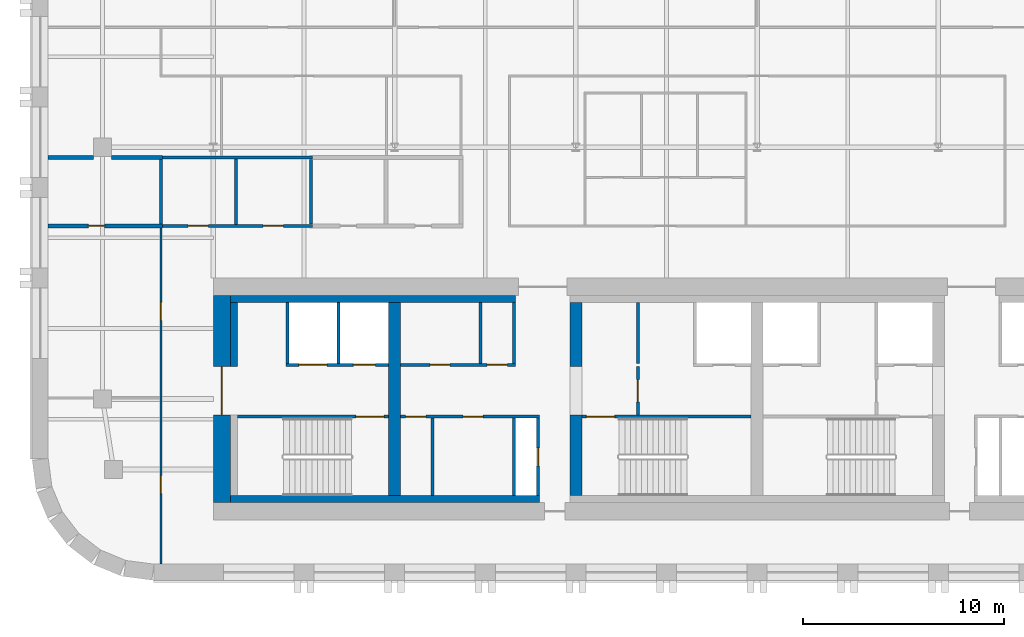
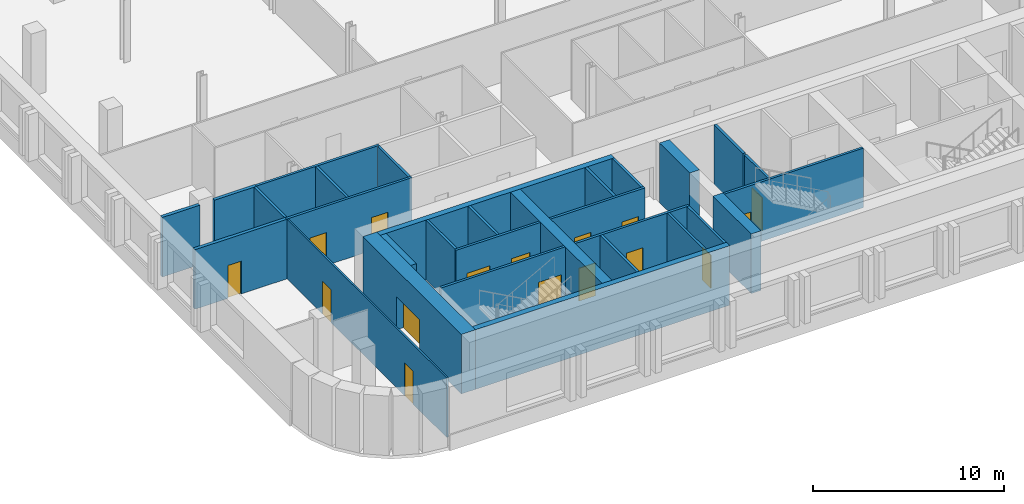
# One storey, part 3 of 10: 30 walls, 16 doors, 16 openings.
"""IFC4 building model written with IfcOpenShell, lengths in metres."""

from ifc_helpers import new_model, si_unit, direction, frame, frame_2d, origin, place, context, subcontext, project, spatial, rectangle, extrude, material, layer, layer_set, type_object, element, fill, save


model = new_model("IFC4")

# Units and contexts
model_context = context("Model", 3, precision=1e-05, world=origin(), true_north=direction((0.0, 1.0)))
body_context = subcontext(model_context, "Body", "Model", "MODEL_VIEW")
ifc_project = project(units=[si_unit("LENGTHUNIT", "METRE"), si_unit("AREAUNIT", "SQUARE_METRE"), si_unit("VOLUMEUNIT", "CUBIC_METRE"), si_unit("PLANEANGLEUNIT", "RADIAN"), si_unit("MASSUNIT", "GRAM", prefix="KILO")], contexts=[model_context])

# Site, building, storey
site_placement = place(None, origin())
site = spatial("IfcSite", under=ifc_project, at=site_placement, CompositionType="ELEMENT")
building_placement = place(site_placement, origin())
building = spatial("IfcBuilding", under=site, at=building_placement, Name="Zellij Exchange Tower", CompositionType="ELEMENT")
storey_placement = place(building_placement, frame((0.0, 0.0, 192.5)))
storey = spatial("IfcBuildingStorey", under=building, at=storey_placement, Name="L44", CompositionType="ELEMENT", Elevation=192.5)

# Walls
ifc_material_1 = material(Name="Concrete C60/75", Category="concrete")
ifc_layer_1 = layer(ifc_material_1, 0.60009765625)
ifc_layer_set_1 = layer_set([ifc_layer_1], Name="Concrete C60/75")
wall_type_1 = type_object("IfcWallType", Name="CORE-CW 600 C60/75", PredefinedType="SHEAR", material=ifc_layer_set_1)
wall_1_placement = place(storey_placement, frame((-18.0, -12.800048828125, 0.0), z_axis=(0.0, 0.0, 1.0), x_axis=(0.0, 1.0, 0.0)))
element("IfcWall", 1, at=wall_1_placement, inside=storey, type_object=wall_type_1, Name="Core cross wall x -18 L44", PredefinedType="SHEAR", context=body_context, shape_type="SweptSolid", body=[
    extrude(rectangle(XDim=9.60009765625, YDim=0.60009765625, at=frame_2d((4.800048828125, 0.0))), origin(), (0.0, 0.0, 1.0), 3.800048828125),
])
wall_2_placement = place(storey_placement, frame((-9.0, -12.800048828125, 0.0), z_axis=(0.0, 0.0, 1.0), x_axis=(0.0, 1.0, 0.0)))
element("IfcWall", 2, at=wall_2_placement, inside=storey, type_object=wall_type_1, Name="Core cross wall pier x -9 a L44", PredefinedType="SHEAR", context=body_context, shape_type="SweptSolid", body=[
    extrude(rectangle(XDim=4.0, YDim=0.60009765625, at=frame_2d((2.0, 0.0))), origin(), (0.0, 0.0, 1.0), 3.800048828125),
])
wall_3_placement = place(storey_placement, frame((-9.0, -6.375, 0.0), z_axis=(0.0, 0.0, 1.0), x_axis=(0.0, 1.0, 0.0)))
element("IfcWall", 3, at=wall_3_placement, inside=storey, type_object=wall_type_1, Name="Core cross wall pier x -9 b L44", PredefinedType="SHEAR", context=body_context, shape_type="SweptSolid", body=[
    extrude(rectangle(XDim=3.175048828125, YDim=0.60009765625, at=frame_2d((1.58740234375, 0.0))), origin(), (0.0, 0.0, 1.0), 3.800048828125),
])
ifc_material_2 = material(Name="Concrete C30/37", Category="concrete")
ifc_layer_2 = layer(ifc_material_2, 0.35009765625)
ifc_layer_set_2 = layer_set([ifc_layer_2], Name="Concrete C30/37")
wall_type_2 = type_object("IfcWallType", Name="CORE-LW 350 C30/37", PredefinedType="SHEAR", material=ifc_layer_set_2)
wall_4_placement = place(storey_placement, frame((-26.14990234375, -3.02490234375, 0.0), z_axis=(0.0, 0.0, 1.0), x_axis=(1.0, 0.0, 0.0)))
element("IfcWall", 4, at=wall_4_placement, inside=storey, type_object=wall_type_2, Name="Core wall lining front.0 L44", PredefinedType="SHEAR", context=body_context, shape_type="SweptSolid", body=[
    extrude(rectangle(XDim=14.14990234375, YDim=0.35009765625, at=frame_2d((7.074951171875, 0.0))), origin(), (0.0, 0.0, 1.0), 3.800048828125),
])
wall_5_placement = place(storey_placement, frame((-26.14990234375, -12.97509765625, 0.0), z_axis=(0.0, 0.0, 1.0), x_axis=(1.0, 0.0, 0.0)))
element("IfcWall", 5, at=wall_5_placement, inside=storey, type_object=wall_type_2, Name="Core wall lining rear.0 L44", PredefinedType="SHEAR", context=body_context, shape_type="SweptSolid", body=[
    extrude(rectangle(XDim=15.349853515625, YDim=0.35009765625, at=frame_2d((7.6748046875, 0.0))), origin(), (0.0, 0.0, 1.0), 3.800048828125),
])
wall_6_placement = place(storey_placement, frame((-25.97509765625, -6.375, 0.0), z_axis=(0.0, 0.0, 1.0), x_axis=(0.0, 1.0, 0.0)))
element("IfcWall", 6, at=wall_6_placement, inside=storey, type_object=wall_type_2, Name="Core wall lining end w.1 L44", PredefinedType="SHEAR", context=body_context, shape_type="SweptSolid", body=[
    extrude(rectangle(XDim=3.175048828125, YDim=0.35009765625, at=frame_2d((1.58740234375, 0.0))), origin(), (0.0, 0.0, 1.0), 3.800048828125),
])

# Wall, opening, door
ifc_material_3 = material(Name="Gypsum shaft wall system")
ifc_layer_3 = layer(ifc_material_3, 0.14990234375)
ifc_layer_set_3 = layer_set([ifc_layer_3], Name="Gypsum shaft wall system")
wall_type_3 = type_object("IfcWallType", Name="CORE-PW 150 Firefighting lobby wall", PredefinedType="PARTITIONING", material=ifc_layer_set_3)
wall_7_placement = place(storey_placement, frame((-5.925048828125, -8.800048828125, 0.0), z_axis=(0.0, 0.0, 1.0), x_axis=(0.0, 1.0, 0.0)))
wall_7 = element("IfcWall", 7, at=wall_7_placement, inside=storey, type_object=wall_type_3, Name="Firefighting lobby wall L44", PredefinedType="PARTITIONING", context=body_context, shape_type="SweptSolid", body=[
    extrude(rectangle(XDim=2.425048828125, YDim=0.14990234375, at=frame_2d((1.21240234375, 0.0))), origin(), (0.0, 0.0, 1.0), 3.800048828125),
])
opening_1_placement = place(wall_7_placement, frame((0.662109375, 0.0, 0.0)))
opening_1 = element("IfcOpeningElement", 8, at=opening_1_placement, cuts=wall_7, Name="Opening CA-23.13", PredefinedType="OPENING", context=body_context, shape_type="SweptSolid", body=[
    extrude(rectangle(XDim=1.10009765625, YDim=2.10009765625, at=frame_2d((0.550048828125, 1.050048828125))), frame((0.0, 0.0869140625, 0.0), z_axis=(0.0, -1.0, 0.0), x_axis=(1.0, 0.0, 0.0)), (0.0, 0.0, 1.0), 0.173828125),
])
ifc_material_4 = material(Name="Hollow metal fire door")
door_type_1 = type_object("IfcDoorType", Name="CORE-D F Firefighting lobby door 1100x2100 1 HR", OperationType="NOTDEFINED", PredefinedType="DOOR", material=ifc_material_4)
door_1_placement = place(opening_1_placement, origin())
door_1 = element("IfcDoor", 9, at=door_1_placement, inside=storey, type_object=door_type_1, Name="Firefighting lobby door CA-23.13", OperationType="SINGLE_SWING_LEFT", OverallHeight=2.10009765625, OverallWidth=1.10009765625, PredefinedType="DOOR", context=body_context, shape_type="SweptSolid", body=[
    extrude(rectangle(XDim=1.10009765625, YDim=2.10009765625, at=frame_2d((0.550048828125, 1.050048828125))), frame((0.0, 0.02490234375, 0.0), z_axis=(0.0, -1.0, 0.0), x_axis=(1.0, 0.0, 0.0)), (0.0, 0.0, 1.0), 0.050048828125),
])
fill(opening_1, door_1)

# Walls
ifc_material_5 = material(Name="Gypsum board partition")
ifc_layer_4 = layer(ifc_material_5, 0.14990234375)
ifc_layer_set_4 = layer_set([ifc_layer_4], Name="Gypsum board partition")
wall_type_4 = type_object("IfcWallType", Name="CORE-PW 150 Lift lobby wall", PredefinedType="PARTITIONING", material=ifc_layer_set_4)
for number, where, z_axis, x_axis, name in (
    (10, (-12.074951171875, -6.22509765625, 0.0), (0.0, 0.0, 1.0), (0.0, 1.0, 0.0), "Lift lobby wall L44"),
    (11, (-13.72509765625, -6.22509765625, 0.0), (0.0, 0.0, 1.0), (0.0, 1.0, 0.0), "Lift lobby wall L44"),
    (12, (-5.925048828125, -6.22509765625, 0.0), (0.0, 0.0, 1.0), (0.0, 1.0, 0.0), "Lift lobby wall L44"),
):
    element("IfcWall", number, at=place(storey_placement, frame(where, z_axis=z_axis, x_axis=x_axis)), inside=storey, type_object=wall_type_4, Name=name, PredefinedType="PARTITIONING", context=body_context, shape_type="SweptSolid", body=[
        extrude(rectangle(XDim=3.025146484375, YDim=0.14990234375, at=frame_2d((1.5126953125, 0.0))), origin(), (0.0, 0.0, 1.0), 3.800048828125),
    ])

# Wall, opening, door
wall_8_placement = place(storey_placement, frame((-10.875, -12.800048828125, 0.0), z_axis=(0.0, 0.0, 1.0), x_axis=(0.0, 1.0, 0.0)))
wall_8 = element("IfcWall", 13, at=wall_8_placement, inside=storey, type_object=wall_type_4, Name="Lift lobby wall L44", PredefinedType="PARTITIONING", context=body_context, shape_type="SweptSolid", body=[
    extrude(rectangle(XDim=3.85009765625, YDim=0.14990234375, at=frame_2d((1.925048828125, 0.0))), origin(), (0.0, 0.0, 1.0), 3.800048828125),
])
opening_2_placement = place(wall_8_placement, frame((1.47509765625, 0.0, 0.0)))
opening_2 = element("IfcOpeningElement", 14, at=opening_2_placement, cuts=wall_8, Name="Opening CA-23.09", PredefinedType="OPENING", context=body_context, shape_type="SweptSolid", body=[
    extrude(rectangle(XDim=0.89990234375, YDim=2.10009765625, at=frame_2d((0.449951171875, 1.050048828125))), frame((0.0, 0.0869140625, 0.0), z_axis=(0.0, -1.0, 0.0), x_axis=(1.0, 0.0, 0.0)), (0.0, 0.0, 1.0), 0.173828125),
])
door_type_2 = type_object("IfcDoorType", Name="CORE-D RD Riser door 900x2100 1.5 HR", OperationType="NOTDEFINED", PredefinedType="DOOR", material=ifc_material_4)
door_2_placement = place(opening_2_placement, origin())
door_2 = element("IfcDoor", 15, at=door_2_placement, inside=storey, type_object=door_type_2, Name="Riser door CA-23.09", OperationType="SINGLE_SWING_RIGHT", OverallHeight=2.10009765625, OverallWidth=0.89990234375, PredefinedType="DOOR", context=body_context, shape_type="SweptSolid", body=[
    extrude(rectangle(XDim=0.89990234375, YDim=2.10009765625, at=frame_2d((0.449951171875, 1.050048828125))), frame((0.0, 0.02490234375, 0.0), z_axis=(0.0, -1.0, 0.0), x_axis=(1.0, 0.0, 0.0)), (0.0, 0.0, 1.0), 0.050048828125),
])
fill(opening_2, door_2)

# Walls
for number, where, z_axis, x_axis, name in (
    (16, (-12.074951171875, -12.800048828125, 0.0), (0.0, 0.0, 1.0), (0.0, 1.0, 0.0), "Lift lobby wall L44"),
    (17, (-16.125, -12.800048828125, 0.0), (0.0, 0.0, 1.0), (0.0, 1.0, 0.0), "Lift lobby wall L44"),
):
    element("IfcWall", number, at=place(storey_placement, frame(where, z_axis=z_axis, x_axis=x_axis)), inside=storey, type_object=wall_type_4, Name=name, PredefinedType="PARTITIONING", context=body_context, shape_type="SweptSolid", body=[
        extrude(rectangle(XDim=3.85009765625, YDim=0.14990234375, at=frame_2d((1.925048828125, 0.0))), origin(), (0.0, 0.0, 1.0), 3.800048828125),
    ])

# Wall, openings, doors
wall_9_placement = place(storey_placement, frame((-17.699951171875, -6.300048828125, 0.0), z_axis=(0.0, 0.0, 1.0), x_axis=(1.0, 0.0, 0.0)))
wall_9 = element("IfcWall", 18, at=wall_9_placement, inside=storey, type_object=wall_type_4, Name="Lift lobby wall L44", PredefinedType="PARTITIONING", context=body_context, shape_type="SweptSolid", body=[
    extrude(rectangle(XDim=5.699951171875, YDim=0.14990234375, at=frame_2d((2.85009765625, 0.0))), origin(), (0.0, 0.0, 1.0), 3.800048828125),
])
opening_3_placement = place(wall_9_placement, frame((1.449951171875, 0.0, 0.0)))
opening_3 = element("IfcOpeningElement", 19, at=opening_3_placement, cuts=wall_9, Name="Opening CA-23.06", PredefinedType="OPENING", context=body_context, shape_type="SweptSolid", body=[
    extrude(rectangle(XDim=1.0, YDim=2.10009765625, at=frame_2d((0.5, 1.050048828125))), frame((0.0, 0.0869140625, 0.0), z_axis=(0.0, -1.0, 0.0), x_axis=(1.0, 0.0, 0.0)), (0.0, 0.0, 1.0), 0.173828125),
])
opening_4_placement = place(wall_9_placement, frame((4.300048828125, 0.0, 0.0)))
opening_4 = element("IfcOpeningElement", 20, at=opening_4_placement, cuts=wall_9, Name="Opening CA-23.08", PredefinedType="OPENING", context=body_context, shape_type="SweptSolid", body=[
    extrude(rectangle(XDim=1.0, YDim=2.10009765625, at=frame_2d((0.5, 1.050048828125))), frame((0.0, 0.0869140625, 0.0), z_axis=(0.0, -1.0, 0.0), x_axis=(1.0, 0.0, 0.0)), (0.0, 0.0, 1.0), 0.173828125),
])
door_type_3 = type_object("IfcDoorType", Name="CORE-D CD Core room door 1000x2100 1 HR", OperationType="NOTDEFINED", PredefinedType="DOOR", material=ifc_material_4)
door_3_placement = place(opening_3_placement, origin())
door_3 = element("IfcDoor", 21, at=door_3_placement, inside=storey, type_object=door_type_3, Name="Core room door CA-23.06", OperationType="SINGLE_SWING_LEFT", OverallHeight=2.10009765625, OverallWidth=1.0, PredefinedType="DOOR", context=body_context, shape_type="SweptSolid", body=[
    extrude(rectangle(XDim=1.0, YDim=2.10009765625, at=frame_2d((0.5, 1.050048828125))), frame((0.0, 0.02490234375, 0.0), z_axis=(0.0, -1.0, 0.0), x_axis=(1.0, 0.0, 0.0)), (0.0, 0.0, 1.0), 0.050048828125),
])
fill(opening_3, door_3)
door_4_placement = place(opening_4_placement, origin())
door_4 = element("IfcDoor", 22, at=door_4_placement, inside=storey, type_object=door_type_3, Name="Core room door CA-23.08", OperationType="SINGLE_SWING_RIGHT", OverallHeight=2.10009765625, OverallWidth=1.0, PredefinedType="DOOR", context=body_context, shape_type="SweptSolid", body=[
    extrude(rectangle(XDim=1.0, YDim=2.10009765625, at=frame_2d((0.5, 1.050048828125))), frame((0.0, 0.02490234375, 0.0), z_axis=(0.0, -1.0, 0.0), x_axis=(1.0, 0.0, 0.0)), (0.0, 0.0, 1.0), 0.050048828125),
])
fill(opening_4, door_4)

wall_10_placement = place(storey_placement, frame((-17.699951171875, -8.875, 0.0), z_axis=(0.0, 0.0, 1.0), x_axis=(1.0, 0.0, 0.0)))
wall_10 = element("IfcWall", 23, at=wall_10_placement, inside=storey, type_object=wall_type_4, Name="Lift lobby wall L44", PredefinedType="PARTITIONING", context=body_context, shape_type="SweptSolid", body=[
    extrude(rectangle(XDim=6.89990234375, YDim=0.14990234375, at=frame_2d((3.449951171875, 0.0))), origin(), (0.0, 0.0, 1.0), 3.800048828125),
])
opening_5_placement = place(wall_10_placement, frame((0.25, 0.0, 0.0)))
opening_5 = element("IfcOpeningElement", 24, at=opening_5_placement, cuts=wall_10, Name="Opening CA-23.05", PredefinedType="OPENING", context=body_context, shape_type="SweptSolid", body=[
    extrude(rectangle(XDim=1.0, YDim=2.10009765625, at=frame_2d((0.5, 1.050048828125))), frame((0.0, 0.0869140625, 0.0), z_axis=(0.0, -1.0, 0.0), x_axis=(1.0, 0.0, 0.0)), (0.0, 0.0, 1.0), 0.173828125),
])
opening_6_placement = place(wall_10_placement, frame((3.10009765625, 0.0, 0.0)))
opening_6 = element("IfcOpeningElement", 25, at=opening_6_placement, cuts=wall_10, Name="Opening CA-23.07", PredefinedType="OPENING", context=body_context, shape_type="SweptSolid", body=[
    extrude(rectangle(XDim=1.0, YDim=2.10009765625, at=frame_2d((0.5, 1.050048828125))), frame((0.0, 0.0869140625, 0.0), z_axis=(0.0, -1.0, 0.0), x_axis=(1.0, 0.0, 0.0)), (0.0, 0.0, 1.0), 0.173828125),
])
door_5_placement = place(opening_5_placement, origin())
door_5 = element("IfcDoor", 26, at=door_5_placement, inside=storey, type_object=door_type_3, Name="Core room door CA-23.05", OperationType="SINGLE_SWING_RIGHT", OverallHeight=2.10009765625, OverallWidth=1.0, PredefinedType="DOOR", context=body_context, shape_type="SweptSolid", body=[
    extrude(rectangle(XDim=1.0, YDim=2.10009765625, at=frame_2d((0.5, 1.050048828125))), frame((0.0, 0.02490234375, 0.0), z_axis=(0.0, -1.0, 0.0), x_axis=(1.0, 0.0, 0.0)), (0.0, 0.0, 1.0), 0.050048828125),
])
fill(opening_5, door_5)
door_6_placement = place(opening_6_placement, origin())
door_6 = element("IfcDoor", 27, at=door_6_placement, inside=storey, type_object=door_type_3, Name="Core room door CA-23.07", OperationType="SINGLE_SWING_LEFT", OverallHeight=2.10009765625, OverallWidth=1.0, PredefinedType="DOOR", context=body_context, shape_type="SweptSolid", body=[
    extrude(rectangle(XDim=1.0, YDim=2.10009765625, at=frame_2d((0.5, 1.050048828125))), frame((0.0, 0.02490234375, 0.0), z_axis=(0.0, -1.0, 0.0), x_axis=(1.0, 0.0, 0.0)), (0.0, 0.0, 1.0), 0.050048828125),
])
fill(opening_6, door_6)

# Walls
ifc_layer_5 = layer(ifc_material_3, 0.14990234375)
ifc_layer_set_5 = layer_set([ifc_layer_5], Name="Gypsum shaft wall system")
wall_type_5 = type_object("IfcWallType", Name="CORE-PW 150 Lift shaft wall", PredefinedType="PARTITIONING", material=ifc_layer_set_5)
for number, where, z_axis, x_axis, name in (
    (28, (-20.77490234375, -6.22509765625, 0.0), (0.0, 0.0, 1.0), (0.0, 1.0, 0.0), "Lift shaft wall L44"),
    (29, (-23.324951171875, -6.22509765625, 0.0), (0.0, 0.0, 1.0), (0.0, 1.0, 0.0), "Lift shaft wall L44"),
):
    element("IfcWall", number, at=place(storey_placement, frame(where, z_axis=z_axis, x_axis=x_axis)), inside=storey, type_object=wall_type_5, Name=name, PredefinedType="PARTITIONING", context=body_context, shape_type="SweptSolid", body=[
        extrude(rectangle(XDim=3.025146484375, YDim=0.14990234375, at=frame_2d((1.5126953125, 0.0))), origin(), (0.0, 0.0, 1.0), 3.800048828125),
    ])

# Wall, openings, doors
wall_11_placement = place(storey_placement, frame((-23.39990234375, -6.300048828125, 0.0), z_axis=(0.0, 0.0, 1.0), x_axis=(1.0, 0.0, 0.0)))
wall_11 = element("IfcWall", 30, at=wall_11_placement, inside=storey, type_object=wall_type_5, Name="Lift shaft wall L44", PredefinedType="PARTITIONING", context=body_context, shape_type="SweptSolid", body=[
    extrude(rectangle(XDim=5.099853515625, YDim=0.14990234375, at=frame_2d((2.5498046875, 0.0))), origin(), (0.0, 0.0, 1.0), 3.800048828125),
])
opening_7_placement = place(wall_11_placement, frame((0.64990234375, 0.0, 0.0)))
opening_7 = element("IfcOpeningElement", 31, at=opening_7_placement, cuts=wall_11, Name="Opening CA-23.02", PredefinedType="OPENING", context=body_context, shape_type="SweptSolid", body=[
    extrude(rectangle(XDim=1.39990234375, YDim=2.10009765625, at=frame_2d((0.699951171875, 1.050048828125))), frame((0.0, 0.0869140625, 0.0), z_axis=(0.0, -1.0, 0.0), x_axis=(1.0, 0.0, 0.0)), (0.0, 0.0, 1.0), 0.173828125),
])
opening_8_placement = place(wall_11_placement, frame((3.35009765625, 0.0, 0.0)))
opening_8 = element("IfcOpeningElement", 32, at=opening_8_placement, cuts=wall_11, Name="Opening CA-23.03", PredefinedType="OPENING", context=body_context, shape_type="SweptSolid", body=[
    extrude(rectangle(XDim=1.10009765625, YDim=2.10009765625, at=frame_2d((0.550048828125, 1.050048828125))), frame((0.0, 0.0869140625, 0.0), z_axis=(0.0, -1.0, 0.0), x_axis=(1.0, 0.0, 0.0)), (0.0, 0.0, 1.0), 0.173828125),
])
door_type_4 = type_object("IfcDoorType", Name="CORE-D LD Lift landing door 1100x2100 1.5 HR", OperationType="NOTDEFINED", PredefinedType="DOOR", material=ifc_material_4)
door_7_placement = place(opening_8_placement, origin())
door_7 = element("IfcDoor", 33, at=door_7_placement, inside=storey, type_object=door_type_4, Name="Lift landing door CA-23.03", OperationType="SLIDING_TO_LEFT", OverallHeight=2.10009765625, OverallWidth=1.10009765625, PredefinedType="DOOR", context=body_context, shape_type="SweptSolid", body=[
    extrude(rectangle(XDim=1.10009765625, YDim=2.10009765625, at=frame_2d((0.550048828125, 1.050048828125))), frame((0.0, 0.02490234375, 0.0), z_axis=(0.0, -1.0, 0.0), x_axis=(1.0, 0.0, 0.0)), (0.0, 0.0, 1.0), 0.050048828125),
])
fill(opening_8, door_7)
door_type_5 = type_object("IfcDoorType", Name="CORE-D LD2 Service lift landing door 1400x2100 1.5 HR", OperationType="NOTDEFINED", PredefinedType="DOOR", material=ifc_material_4)
door_8_placement = place(opening_7_placement, origin())
door_8 = element("IfcDoor", 34, at=door_8_placement, inside=storey, type_object=door_type_5, Name="Service lift landing door CA-23.02", OperationType="SLIDING_TO_RIGHT", OverallHeight=2.10009765625, OverallWidth=1.39990234375, PredefinedType="DOOR", context=body_context, shape_type="SweptSolid", body=[
    extrude(rectangle(XDim=1.39990234375, YDim=2.10009765625, at=frame_2d((0.699951171875, 1.050048828125))), frame((0.0, 0.02490234375, 0.0), z_axis=(0.0, -1.0, 0.0), x_axis=(1.0, 0.0, 0.0)), (0.0, 0.0, 1.0), 0.050048828125),
])
fill(opening_7, door_8)

# Wall, opening, door
ifc_layer_6 = layer(ifc_material_1, 0.85009765625)
ifc_layer_set_6 = layer_set([ifc_layer_6], Name="Concrete C60/75")
wall_type_6 = type_object("IfcWallType", Name="CORE-SW 850 C60/75", PredefinedType="SHEAR", material=ifc_layer_set_6)
wall_12_placement = place(storey_placement, frame((-26.574951171875, -13.14990234375, 0.0), z_axis=(0.0, 0.0, 1.0), x_axis=(0.0, 1.0, 0.0)))
wall_12 = element("IfcWall", 35, at=wall_12_placement, inside=storey, type_object=wall_type_6, Name="Core shear wall end w L44", PredefinedType="SHEAR", context=body_context, shape_type="SweptSolid", body=[
    extrude(rectangle(XDim=10.2998046875, YDim=0.85009765625, at=frame_2d((5.14990234375, 0.0))), origin(), (0.0, 0.0, 1.0), 3.800048828125),
])
opening_9_placement = place(wall_12_placement, frame((4.362060546875, 0.0, 0.0)))
opening_9 = element("IfcOpeningElement", 36, at=opening_9_placement, cuts=wall_12, Name="Opening CA-23.01", PredefinedType="OPENING", context=body_context, shape_type="SweptSolid", body=[
    extrude(rectangle(XDim=2.39990234375, YDim=2.10009765625, at=frame_2d((1.199951171875, 1.050048828125))), frame((0.0, 0.43701171875, 0.0), z_axis=(0.0, -1.0, 0.0), x_axis=(1.0, 0.0, 0.0)), (0.0, 0.0, 1.0), 0.8740234375),
])
door_type_6 = type_object("IfcDoorType", Name="CORE-D CE Core entrance door 2400x2100 20 MIN", OperationType="NOTDEFINED", PredefinedType="DOOR", material=ifc_material_4)
door_9_placement = place(opening_9_placement, origin())
door_9 = element("IfcDoor", 37, at=door_9_placement, inside=storey, type_object=door_type_6, Name="Core entrance door CA-23.01", OperationType="DOUBLE_DOOR_SINGLE_SWING", OverallHeight=2.10009765625, OverallWidth=2.39990234375, PredefinedType="DOOR", context=body_context, shape_type="SweptSolid", body=[
    extrude(rectangle(XDim=2.39990234375, YDim=2.10009765625, at=frame_2d((1.199951171875, 1.050048828125))), frame((0.0, 0.02490234375, 0.0), z_axis=(0.0, -1.0, 0.0), x_axis=(1.0, 0.0, 0.0)), (0.0, 0.0, 1.0), 0.050048828125),
])
fill(opening_9, door_9)

ifc_layer_7 = layer(ifc_material_1, 0.14990234375)
ifc_layer_set_7 = layer_set([ifc_layer_7], Name="Concrete C60/75")
wall_type_7 = type_object("IfcWallType", Name="CORE-SWS 150 C60/75", PredefinedType="SHEAR", material=ifc_layer_set_7)
wall_13_placement = place(storey_placement, frame((-25.800048828125, -8.875, 0.0), z_axis=(0.0, 0.0, 1.0), x_axis=(1.0, 0.0, 0.0)))
wall_13 = element("IfcWall", 38, at=wall_13_placement, inside=storey, type_object=wall_type_7, Name="Stair enclosure wall L44", PredefinedType="SHEAR", context=body_context, shape_type="SweptSolid", body=[
    extrude(rectangle(XDim=7.5, YDim=0.14990234375, at=frame_2d((3.75, 0.0))), origin(), (0.0, 0.0, 1.0), 3.800048828125),
])
opening_10_placement = place(wall_13_placement, frame((5.875, 0.0, 0.0)))
opening_10 = element("IfcOpeningElement", 39, at=opening_10_placement, cuts=wall_13, Name="Opening CA-23.04", PredefinedType="OPENING", context=body_context, shape_type="SweptSolid", body=[
    extrude(rectangle(XDim=1.39990234375, YDim=2.10009765625, at=frame_2d((0.699951171875, 1.050048828125))), frame((0.0, 0.0869140625, 0.0), z_axis=(0.0, -1.0, 0.0), x_axis=(1.0, 0.0, 0.0)), (0.0, 0.0, 1.0), 0.173828125),
])
door_type_7 = type_object("IfcDoorType", Name="CORE-D SD Stair door 1400x2100 1.5 HR", OperationType="NOTDEFINED", PredefinedType="DOOR", material=ifc_material_4)
door_10_placement = place(opening_10_placement, origin())
door_10 = element("IfcDoor", 40, at=door_10_placement, inside=storey, type_object=door_type_7, Name="Stair door CA-23.04", OperationType="DOUBLE_DOOR_SINGLE_SWING", OverallHeight=2.10009765625, OverallWidth=1.39990234375, PredefinedType="DOOR", context=body_context, shape_type="SweptSolid", body=[
    extrude(rectangle(XDim=1.39990234375, YDim=2.10009765625, at=frame_2d((0.699951171875, 1.050048828125))), frame((0.0, 0.02490234375, 0.0), z_axis=(0.0, -1.0, 0.0), x_axis=(1.0, 0.0, 0.0)), (0.0, 0.0, 1.0), 0.050048828125),
])
fill(opening_10, door_10)

wall_14_placement = place(storey_placement, frame((-8.699951171875, -8.875, 0.0), z_axis=(0.0, 0.0, 1.0), x_axis=(1.0, 0.0, 0.0)))
wall_14 = element("IfcWall", 41, at=wall_14_placement, inside=storey, type_object=wall_type_7, Name="Stair enclosure wall L44", PredefinedType="SHEAR", context=body_context, shape_type="SweptSolid", body=[
    extrude(rectangle(XDim=8.39990234375, YDim=0.14990234375, at=frame_2d((4.199951171875, 0.0))), origin(), (0.0, 0.0, 1.0), 3.800048828125),
])
opening_11_placement = place(wall_14_placement, frame((0.22509765625, 0.0, 0.0)))
opening_11 = element("IfcOpeningElement", 42, at=opening_11_placement, cuts=wall_14, Name="Opening CA-23.12", PredefinedType="OPENING", context=body_context, shape_type="SweptSolid", body=[
    extrude(rectangle(XDim=1.39990234375, YDim=2.10009765625, at=frame_2d((0.699951171875, 1.050048828125))), frame((0.0, 0.0869140625, 0.0), z_axis=(0.0, -1.0, 0.0), x_axis=(1.0, 0.0, 0.0)), (0.0, 0.0, 1.0), 0.173828125),
])
door_11_placement = place(opening_11_placement, origin())
door_11 = element("IfcDoor", 43, at=door_11_placement, inside=storey, type_object=door_type_7, Name="Stair door CA-23.12", OperationType="DOUBLE_DOOR_SINGLE_SWING", OverallHeight=2.10009765625, OverallWidth=1.39990234375, PredefinedType="DOOR", context=body_context, shape_type="SweptSolid", body=[
    extrude(rectangle(XDim=1.39990234375, YDim=2.10009765625, at=frame_2d((0.699951171875, 1.050048828125))), frame((0.0, 0.02490234375, 0.0), z_axis=(0.0, -1.0, 0.0), x_axis=(1.0, 0.0, 0.0)), (0.0, 0.0, 1.0), 0.050048828125),
])
fill(opening_11, door_11)

ifc_material_6 = material(Name="Blockwork partition", Category="masonry")
ifc_layer_8 = layer(ifc_material_6, 0.199951171875)
ifc_layer_set_8 = layer_set([ifc_layer_8], Name="Blockwork partition")
wall_type_8 = type_object("IfcWallType", Name="FIT-BLOCKWORK-200", PredefinedType="PARTITIONING", material=ifc_layer_set_8)
wall_15_placement = place(storey_placement, frame((-35.199951171875, 0.60009765625, 0.0), z_axis=(0.0, 0.0, 1.0), x_axis=(1.0, 0.0, 0.0)))
wall_15 = element("IfcWall", 44, at=wall_15_placement, inside=storey, type_object=wall_type_8, Name="FIT-BLOCKWORK-200 005", PredefinedType="PARTITIONING", context=body_context, shape_type="SweptSolid", body=[
    extrude(rectangle(XDim=5.675048828125, YDim=0.199951171875, at=frame_2d((2.83740234375, 0.0))), origin(), (0.0, 0.0, 1.0), 3.800048828125),
])
opening_12_placement = place(wall_15_placement, frame((2.0, 0.0, 0.0)))
opening_12 = element("IfcOpeningElement", 45, at=opening_12_placement, cuts=wall_15, Name="Opening O3C.04", PredefinedType="OPENING", context=body_context, shape_type="SweptSolid", body=[
    extrude(rectangle(XDim=0.800048828125, YDim=2.10009765625, at=frame_2d((0.39990234375, 1.050048828125))), frame((0.0, 0.11181640625, 0.0), z_axis=(0.0, -1.0, 0.0), x_axis=(1.0, 0.0, 0.0)), (0.0, 0.0, 1.0), 0.223876953125),
])
ifc_material_7 = material(Name="Timber door set", Category="wood")
door_type_8 = type_object("IfcDoorType", Name="FIT-D6-SERVICE-800X2100", OperationType="SINGLE_SWING_LEFT", PredefinedType="DOOR", material=ifc_material_7)
door_12_placement = place(opening_12_placement, origin())
door_12 = element("IfcDoor", 46, at=door_12_placement, inside=storey, type_object=door_type_8, Name="Door O3C.04", OperationType="SINGLE_SWING_RIGHT", OverallHeight=2.10009765625, OverallWidth=0.800048828125, PredefinedType="DOOR", context=body_context, shape_type="SweptSolid", body=[
    extrude(rectangle(XDim=0.800048828125, YDim=2.10009765625, at=frame_2d((0.39990234375, 1.050048828125))), frame((0.0, 0.02490234375, 0.0), z_axis=(0.0, -1.0, 0.0), x_axis=(1.0, 0.0, 0.0)), (0.0, 0.0, 1.0), 0.050048828125),
])
fill(opening_12, door_12)

# Walls
wall_16_placement = place(storey_placement, frame((-35.199951171875, 4.0, 0.0), z_axis=(0.0, 0.0, 1.0), x_axis=(1.0, 0.0, 0.0)))
element("IfcWall", 47, at=wall_16_placement, inside=storey, type_object=wall_type_8, Name="FIT-BLOCKWORK-200 023", PredefinedType="PARTITIONING", context=body_context, shape_type="SweptSolid", body=[
    extrude(rectangle(XDim=2.25, YDim=0.199951171875, at=frame_2d((1.125, 0.0))), origin(), (0.0, 0.0, 1.0), 3.800048828125),
])
wall_17_placement = place(storey_placement, frame((-32.050048828125, 4.0, 0.0), z_axis=(0.0, 0.0, 1.0), x_axis=(1.0, 0.0, 0.0)))
element("IfcWall", 48, at=wall_17_placement, inside=storey, type_object=wall_type_8, Name="FIT-BLOCKWORK-200 024", PredefinedType="PARTITIONING", context=body_context, shape_type="SweptSolid", body=[
    extrude(rectangle(XDim=2.525146484375, YDim=0.199951171875, at=frame_2d((1.2626953125, 0.0))), origin(), (0.0, 0.0, 1.0), 3.800048828125),
])

# Wall, openings, doors
ifc_material_8 = material(Name="Gypsum board partition on steel studs", Category="steel")
ifc_layer_9 = layer(ifc_material_8, 0.10009765625)
ifc_layer_set_9 = layer_set([ifc_layer_9], Name="Gypsum board partition on steel studs")
wall_type_9 = type_object("IfcWallType", Name="FIT-PARTITION-100", PredefinedType="PARTITIONING", material=ifc_layer_set_9)
wall_18_placement = place(storey_placement, frame((-29.60009765625, -16.199951171875, 0.0), z_axis=(0.0, 0.0, 1.0), x_axis=(0.0, 1.0, 0.0)))
wall_18 = element("IfcWall", 49, at=wall_18_placement, inside=storey, type_object=wall_type_9, Name="FIT-PARTITION-100 001", PredefinedType="PARTITIONING", context=body_context, shape_type="SweptSolid", body=[
    extrude(rectangle(XDim=16.699951171875, YDim=0.10009765625, at=frame_2d((8.35009765625, 0.0))), origin(), (0.0, 0.0, 1.0), 3.800048828125),
])
opening_13_placement = place(wall_18_placement, frame((3.5, 0.0, 0.0)))
opening_13 = element("IfcOpeningElement", 50, at=opening_13_placement, cuts=wall_18, Name="Opening O3C.01", PredefinedType="OPENING", context=body_context, shape_type="SweptSolid", body=[
    extrude(rectangle(XDim=0.89990234375, YDim=2.10009765625, at=frame_2d((0.449951171875, 1.050048828125))), frame((0.0, 0.06201171875, 0.0), z_axis=(0.0, -1.0, 0.0), x_axis=(1.0, 0.0, 0.0)), (0.0, 0.0, 1.0), 0.1240234375),
])
opening_14_placement = place(wall_18_placement, frame((12.10009765625, 0.0, 0.0)))
opening_14 = element("IfcOpeningElement", 51, at=opening_14_placement, cuts=wall_18, Name="Opening O3C.03", PredefinedType="OPENING", context=body_context, shape_type="SweptSolid", body=[
    extrude(rectangle(XDim=0.89990234375, YDim=2.10009765625, at=frame_2d((0.449951171875, 1.050048828125))), frame((0.0, 0.06201171875, 0.0), z_axis=(0.0, -1.0, 0.0), x_axis=(1.0, 0.0, 0.0)), (0.0, 0.0, 1.0), 0.1240234375),
])
door_type_9 = type_object("IfcDoorType", Name="FIT-D1-ROOM-900X2100", OperationType="SINGLE_SWING_LEFT", PredefinedType="DOOR", material=ifc_material_7)
door_13_placement = place(opening_13_placement, origin())
door_13 = element("IfcDoor", 52, at=door_13_placement, inside=storey, type_object=door_type_9, Name="Door O3C.01", OperationType="SINGLE_SWING_RIGHT", OverallHeight=2.10009765625, OverallWidth=0.89990234375, PredefinedType="DOOR", context=body_context, shape_type="SweptSolid", body=[
    extrude(rectangle(XDim=0.89990234375, YDim=2.10009765625, at=frame_2d((0.449951171875, 1.050048828125))), frame((0.0, 0.02490234375, 0.0), z_axis=(0.0, -1.0, 0.0), x_axis=(1.0, 0.0, 0.0)), (0.0, 0.0, 1.0), 0.050048828125),
])
fill(opening_13, door_13)
door_14_placement = place(opening_14_placement, origin())
door_14 = element("IfcDoor", 53, at=door_14_placement, inside=storey, type_object=door_type_9, Name="Door O3C.03", OperationType="SINGLE_SWING_LEFT", OverallHeight=2.10009765625, OverallWidth=0.89990234375, PredefinedType="DOOR", context=body_context, shape_type="SweptSolid", body=[
    extrude(rectangle(XDim=0.89990234375, YDim=2.10009765625, at=frame_2d((0.449951171875, 1.050048828125))), frame((0.0, 0.02490234375, 0.0), z_axis=(0.0, -1.0, 0.0), x_axis=(1.0, 0.0, 0.0)), (0.0, 0.0, 1.0), 0.050048828125),
])
fill(opening_14, door_14)

ifc_material_9 = material(Name="Gypsum board shaft-wall partition", Category="gypsum")
ifc_layer_10 = layer(ifc_material_9, 0.14990234375)
ifc_layer_set_10 = layer_set([ifc_layer_10], Name="Gypsum board shaft-wall partition")
wall_type_10 = type_object("IfcWallType", Name="FIT-PARTITION-150-EI60", PredefinedType="PARTITIONING", material=ifc_layer_set_10)
wall_19_placement = place(storey_placement, frame((-29.675048828125, 0.60009765625, 0.0), z_axis=(0.0, 0.0, 1.0), x_axis=(1.0, 0.0, 0.0)))
wall_19 = element("IfcWall", 54, at=wall_19_placement, inside=storey, type_object=wall_type_10, Name="FIT-PARTITION-150-EI60 006", PredefinedType="PARTITIONING", context=body_context, shape_type="SweptSolid", body=[
    extrude(rectangle(XDim=7.60009765625, YDim=0.14990234375, at=frame_2d((3.800048828125, 0.0))), origin(), (0.0, 0.0, 1.0), 3.800048828125),
])
opening_15_placement = place(wall_19_placement, frame((1.425048828125, 0.0, 0.0)))
opening_15 = element("IfcOpeningElement", 55, at=opening_15_placement, cuts=wall_19, Name="Opening O3C.05", PredefinedType="OPENING", context=body_context, shape_type="SweptSolid", body=[
    extrude(rectangle(XDim=1.0, YDim=2.10009765625, at=frame_2d((0.5, 1.050048828125))), frame((0.0, 0.0869140625, 0.0), z_axis=(0.0, -1.0, 0.0), x_axis=(1.0, 0.0, 0.0)), (0.0, 0.0, 1.0), 0.173828125),
])
opening_16_placement = place(wall_19_placement, frame((5.14990234375, 0.0, 0.0)))
opening_16 = element("IfcOpeningElement", 56, at=opening_16_placement, cuts=wall_19, Name="Opening O3C.06", PredefinedType="OPENING", context=body_context, shape_type="SweptSolid", body=[
    extrude(rectangle(XDim=1.0, YDim=2.10009765625, at=frame_2d((0.5, 1.050048828125))), frame((0.0, 0.0869140625, 0.0), z_axis=(0.0, -1.0, 0.0), x_axis=(1.0, 0.0, 0.0)), (0.0, 0.0, 1.0), 0.173828125),
])
ifc_material_10 = material(Name="Steel fire door set", Category="steel")
door_type_10 = type_object("IfcDoorType", Name="FIT-D4-FIRE-1000X2100", OperationType="SINGLE_SWING_LEFT", PredefinedType="DOOR", material=ifc_material_10)
door_15_placement = place(opening_15_placement, origin())
door_15 = element("IfcDoor", 57, at=door_15_placement, inside=storey, type_object=door_type_10, Name="Door O3C.05", OperationType="SINGLE_SWING_LEFT", OverallHeight=2.10009765625, OverallWidth=1.0, PredefinedType="DOOR", context=body_context, shape_type="SweptSolid", body=[
    extrude(rectangle(XDim=1.0, YDim=2.10009765625, at=frame_2d((0.5, 1.050048828125))), frame((0.0, 0.02490234375, 0.0), z_axis=(0.0, -1.0, 0.0), x_axis=(1.0, 0.0, 0.0)), (0.0, 0.0, 1.0), 0.050048828125),
])
fill(opening_15, door_15)
door_16_placement = place(opening_16_placement, origin())
door_16 = element("IfcDoor", 58, at=door_16_placement, inside=storey, type_object=door_type_10, Name="Door O3C.06", OperationType="SINGLE_SWING_LEFT", OverallHeight=2.10009765625, OverallWidth=1.0, PredefinedType="DOOR", context=body_context, shape_type="SweptSolid", body=[
    extrude(rectangle(XDim=1.0, YDim=2.10009765625, at=frame_2d((0.5, 1.050048828125))), frame((0.0, 0.02490234375, 0.0), z_axis=(0.0, -1.0, 0.0), x_axis=(1.0, 0.0, 0.0)), (0.0, 0.0, 1.0), 0.050048828125),
])
fill(opening_16, door_16)

# Walls
wall_20_placement = place(storey_placement, frame((-29.60009765625, 0.699951171875, 0.0), z_axis=(0.0, 0.0, 1.0), x_axis=(0.0, 1.0, 0.0)))
element("IfcWall", 59, at=wall_20_placement, inside=storey, type_object=wall_type_10, Name="FIT-PARTITION-150-EI60 007", PredefinedType="PARTITIONING", context=body_context, shape_type="SweptSolid", body=[
    extrude(rectangle(XDim=3.199951171875, YDim=0.14990234375, at=frame_2d((1.60009765625, 0.0))), origin(), (0.0, 0.0, 1.0), 3.800048828125),
])
wall_21_placement = place(storey_placement, frame((-25.8798828125, 0.675048828125, 0.0), z_axis=(0.0, 0.0, 1.0), x_axis=(0.0, 1.0, 0.0)))
element("IfcWall", 60, at=wall_21_placement, inside=storey, type_object=wall_type_10, Name="FIT-PARTITION-150-EI60 008", PredefinedType="PARTITIONING", context=body_context, shape_type="SweptSolid", body=[
    extrude(rectangle(XDim=3.25, YDim=0.14990234375, at=frame_2d((1.625, 0.0))), origin(), (0.0, 0.0, 1.0), 3.800048828125),
])
wall_22_placement = place(storey_placement, frame((-22.14990234375, 0.699951171875, 0.0), z_axis=(0.0, 0.0, 1.0), x_axis=(0.0, 1.0, 0.0)))
element("IfcWall", 61, at=wall_22_placement, inside=storey, type_object=wall_type_10, Name="FIT-PARTITION-150-EI60 010", PredefinedType="PARTITIONING", context=body_context, shape_type="SweptSolid", body=[
    extrude(rectangle(XDim=3.199951171875, YDim=0.14990234375, at=frame_2d((1.60009765625, 0.0))), origin(), (0.0, 0.0, 1.0), 3.800048828125),
])
wall_23_placement = place(storey_placement, frame((-29.675048828125, 4.0, 0.0), z_axis=(0.0, 0.0, 1.0), x_axis=(1.0, 0.0, 0.0)))
element("IfcWall", 62, at=wall_23_placement, inside=storey, type_object=wall_type_10, Name="FIT-PARTITION-150-EI60 025", PredefinedType="PARTITIONING", context=body_context, shape_type="SweptSolid", body=[
    extrude(rectangle(XDim=7.60009765625, YDim=0.14990234375, at=frame_2d((3.800048828125, 0.0))), origin(), (0.0, 0.0, 1.0), 3.800048828125),
])

save(model, "model.ifc")
